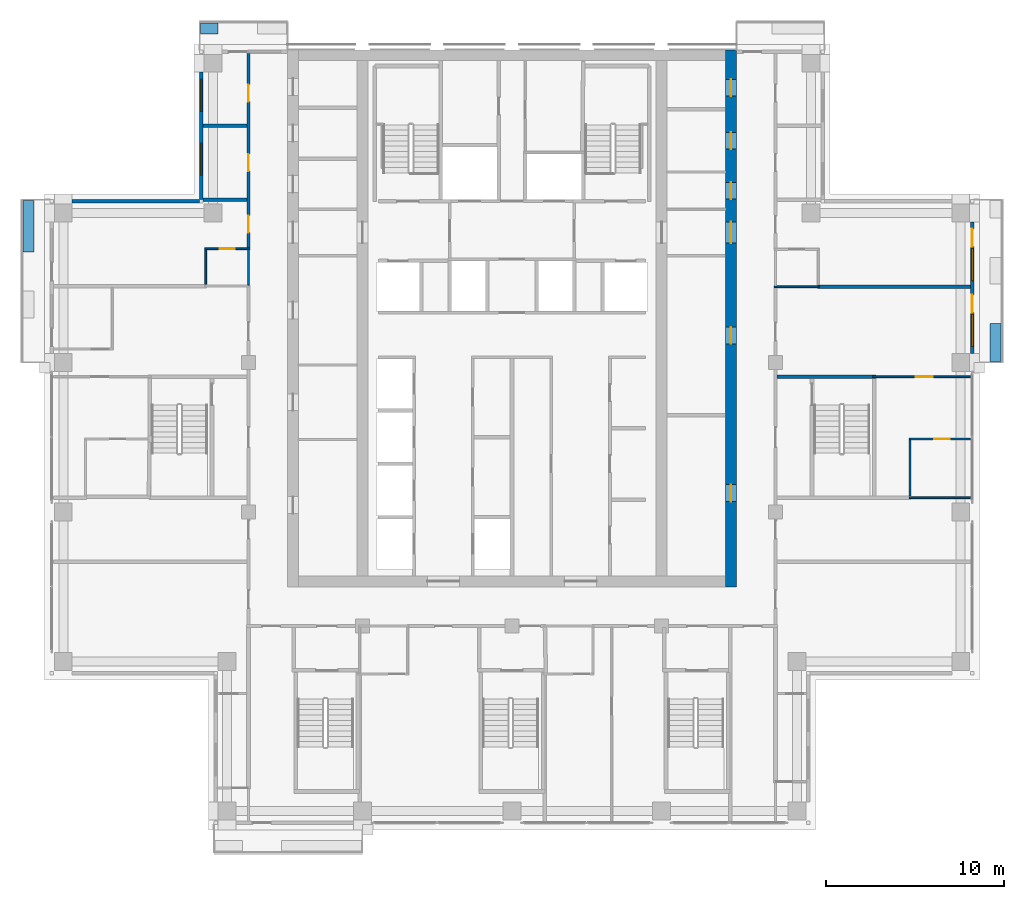
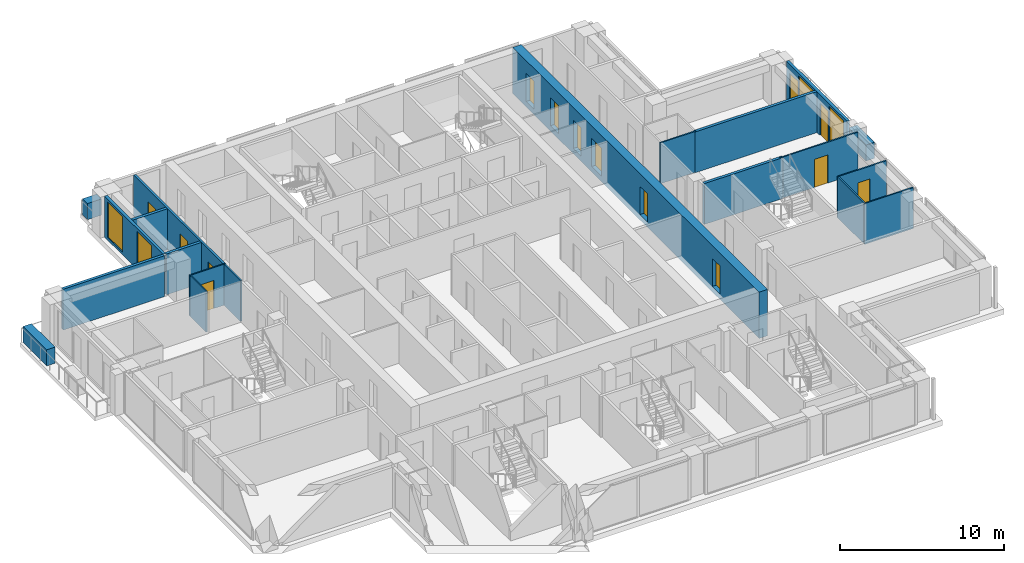
# One storey, part 11 of 16: 20 walls, 14 doors, 4 windows, 18 openings.
"""IFC4 building model written with IfcOpenShell, lengths in metres."""

from ifc_helpers import new_model, si_unit, direction, frame, frame_2d, origin, place, context, subcontext, project, spatial, rectangle, extrude, material, layer, layer_set, type_object, element, fill, save


model = new_model("IFC4")

# Units and contexts
model_context = context("Model", 3, precision=1e-05, world=origin(), true_north=direction((0.0, 1.0)))
body_context = subcontext(model_context, "Body", "Model", "MODEL_VIEW")
ifc_project = project(units=[si_unit("LENGTHUNIT", "METRE"), si_unit("AREAUNIT", "SQUARE_METRE"), si_unit("VOLUMEUNIT", "CUBIC_METRE"), si_unit("PLANEANGLEUNIT", "RADIAN"), si_unit("MASSUNIT", "GRAM", prefix="KILO")], contexts=[model_context])

# Site, building, storey
site_placement = place(None, origin())
site = spatial("IfcSite", under=ifc_project, at=site_placement, CompositionType="ELEMENT")
building_placement = place(site_placement, origin())
building = spatial("IfcBuilding", under=site, at=building_placement, Name="Vermilion Ogive Tower", CompositionType="ELEMENT")
storey_placement = place(building_placement, frame((0.0, 0.0, 179.0)))
storey = spatial("IfcBuildingStorey", under=building, at=storey_placement, Name="L46", CompositionType="ELEMENT", Elevation=179.0)

# Wall, openings, doors
ifc_material_1 = material(Name="Concrete B60", Category="concrete")
ifc_layer_1 = layer(ifc_material_1, 0.60009765625)
ifc_layer_set_1 = layer_set([ifc_layer_1], Name="Core wall 600 B60")
wall_type_1 = type_object("IfcWallType", Name="Core wall 600 B60", PredefinedType="SHEAR", material=ifc_layer_set_1)
wall_1_placement = place(storey_placement, frame((12.300048828125, -8.39990234375, -0.39990234375), z_axis=(0.0, 0.0, 1.0), x_axis=(0.0, 1.0, 0.0)))
wall_1 = element("IfcWall", 1, at=wall_1_placement, inside=storey, type_object=wall_type_1, Name="L46-CORE-E", PredefinedType="SHEAR", context=body_context, shape_type="SweptSolid", body=[
    extrude(rectangle(XDim=30.14990234375, YDim=0.60009765625, at=frame_2d((15.074951171875, 0.0))), origin(), (0.0, 0.0, 1.0), 3.449951171875),
])
opening_1_placement = place(wall_1_placement, frame((4.78759765625, 0.0, 0.39990234375)))
opening_1 = element("IfcOpeningElement", 2, at=opening_1_placement, cuts=wall_1, Name="Opening DAC067", PredefinedType="OPENING", context=body_context, shape_type="SweptSolid", body=[
    extrude(rectangle(XDim=0.949951171875, YDim=2.10009765625, at=frame_2d((0.47509765625, 1.050048828125))), frame((0.0, 0.31005859375, 0.0), z_axis=(0.0, -1.0, 0.0), x_axis=(1.0, 0.0, 0.0)), (0.0, 0.0, 1.0), 0.6201171875),
])
opening_2_placement = place(wall_1_placement, frame((13.6376953125, 0.0, 0.39990234375)))
opening_2 = element("IfcOpeningElement", 3, at=opening_2_placement, cuts=wall_1, Name="Opening DAC068", PredefinedType="OPENING", context=body_context, shape_type="SweptSolid", body=[
    extrude(rectangle(XDim=0.949951171875, YDim=2.10009765625, at=frame_2d((0.47509765625, 1.050048828125))), frame((0.0, 0.31005859375, 0.0), z_axis=(0.0, -1.0, 0.0), x_axis=(1.0, 0.0, 0.0)), (0.0, 0.0, 1.0), 0.6201171875),
])
opening_3_placement = place(wall_1_placement, frame((21.7705078125, 0.0, 0.39990234375)))
opening_3 = element("IfcOpeningElement", 4, at=opening_3_placement, cuts=wall_1, Name="Opening DAC069", PredefinedType="OPENING", context=body_context, shape_type="SweptSolid", body=[
    extrude(rectangle(XDim=0.949951171875, YDim=2.10009765625, at=frame_2d((0.47509765625, 1.050048828125))), frame((0.0, 0.31005859375, 0.0), z_axis=(0.0, -1.0, 0.0), x_axis=(1.0, 0.0, 0.0)), (0.0, 0.0, 1.0), 0.6201171875),
])
opening_4_placement = place(wall_1_placement, frame((24.57568359375, 0.0, 0.39990234375)))
opening_4 = element("IfcOpeningElement", 5, at=opening_4_placement, cuts=wall_1, Name="Opening DAC070", PredefinedType="OPENING", context=body_context, shape_type="SweptSolid", body=[
    extrude(rectangle(XDim=0.949951171875, YDim=2.10009765625, at=frame_2d((0.47509765625, 1.050048828125))), frame((0.0, 0.31005859375, 0.0), z_axis=(0.0, -1.0, 0.0), x_axis=(1.0, 0.0, 0.0)), (0.0, 0.0, 1.0), 0.6201171875),
])
opening_5_placement = place(wall_1_placement, frame((27.555419921875, 0.0, 0.39990234375)))
opening_5 = element("IfcOpeningElement", 6, at=opening_5_placement, cuts=wall_1, Name="Opening DAC071", PredefinedType="OPENING", context=body_context, shape_type="SweptSolid", body=[
    extrude(rectangle(XDim=0.949951171875, YDim=2.10009765625, at=frame_2d((0.47509765625, 1.050048828125))), frame((0.0, 0.31005859375, 0.0), z_axis=(0.0, -1.0, 0.0), x_axis=(1.0, 0.0, 0.0)), (0.0, 0.0, 1.0), 0.6201171875),
])
opening_6_placement = place(wall_1_placement, frame((19.300048828125, 0.0, 0.39990234375)))
opening_6 = element("IfcOpeningElement", 7, at=opening_6_placement, cuts=wall_1, Name="Opening DAL018", PredefinedType="OPENING", context=body_context, shape_type="SweptSolid", body=[
    extrude(rectangle(XDim=1.199951171875, YDim=2.10009765625, at=frame_2d((0.60009765625, 1.050048828125))), frame((0.0, 0.31005859375, 0.0), z_axis=(0.0, -1.0, 0.0), x_axis=(1.0, 0.0, 0.0)), (0.0, 0.0, 1.0), 0.6201171875),
])
ifc_material_2 = material(Name="Timber door leaf", Category="wood")
door_type_1 = type_object("IfcDoorType", Name="Link door 1200 x 2100 FD60S", OperationType="SINGLE_SWING_LEFT", PredefinedType="DOOR", material=ifc_material_2)
door_1_placement = place(opening_6_placement, origin())
door_1 = element("IfcDoor", 8, at=door_1_placement, inside=storey, type_object=door_type_1, Name="L46-CKE-XL", OperationType="SINGLE_SWING_LEFT", OverallHeight=2.10009765625, OverallWidth=1.199951171875, PredefinedType="DOOR", context=body_context, shape_type="SweptSolid", body=[
    extrude(rectangle(XDim=1.199951171875, YDim=2.10009765625, at=frame_2d((0.60009765625, 1.050048828125))), frame((0.0, 0.02490234375, 0.0), z_axis=(0.0, -1.0, 0.0), x_axis=(1.0, 0.0, 0.0)), (0.0, 0.0, 1.0), 0.050048828125),
])
fill(opening_6, door_1)
ifc_material_3 = material(Name="Timber door leaf", Category="wood")
door_type_2 = type_object("IfcDoorType", Name="Service door 950 x 2100 FD60", OperationType="SINGLE_SWING_LEFT", PredefinedType="DOOR", material=ifc_material_3)
door_2_placement = place(opening_1_placement, origin())
door_2 = element("IfcDoor", 9, at=door_2_placement, inside=storey, type_object=door_type_2, Name="L46-CKE-XR0", OperationType="SINGLE_SWING_LEFT", OverallHeight=2.10009765625, OverallWidth=0.949951171875, PredefinedType="DOOR", context=body_context, shape_type="SweptSolid", body=[
    extrude(rectangle(XDim=0.949951171875, YDim=2.10009765625, at=frame_2d((0.47509765625, 1.050048828125))), frame((0.0, 0.02490234375, 0.0), z_axis=(0.0, -1.0, 0.0), x_axis=(1.0, 0.0, 0.0)), (0.0, 0.0, 1.0), 0.050048828125),
])
fill(opening_1, door_2)
door_3_placement = place(opening_2_placement, origin())
door_3 = element("IfcDoor", 10, at=door_3_placement, inside=storey, type_object=door_type_2, Name="L46-CKE-XR1", OperationType="SINGLE_SWING_LEFT", OverallHeight=2.10009765625, OverallWidth=0.949951171875, PredefinedType="DOOR", context=body_context, shape_type="SweptSolid", body=[
    extrude(rectangle(XDim=0.949951171875, YDim=2.10009765625, at=frame_2d((0.47509765625, 1.050048828125))), frame((0.0, 0.02490234375, 0.0), z_axis=(0.0, -1.0, 0.0), x_axis=(1.0, 0.0, 0.0)), (0.0, 0.0, 1.0), 0.050048828125),
])
fill(opening_2, door_3)
door_4_placement = place(opening_3_placement, origin())
door_4 = element("IfcDoor", 11, at=door_4_placement, inside=storey, type_object=door_type_2, Name="L46-CKE-XR2", OperationType="SINGLE_SWING_LEFT", OverallHeight=2.10009765625, OverallWidth=0.949951171875, PredefinedType="DOOR", context=body_context, shape_type="SweptSolid", body=[
    extrude(rectangle(XDim=0.949951171875, YDim=2.10009765625, at=frame_2d((0.47509765625, 1.050048828125))), frame((0.0, 0.02490234375, 0.0), z_axis=(0.0, -1.0, 0.0), x_axis=(1.0, 0.0, 0.0)), (0.0, 0.0, 1.0), 0.050048828125),
])
fill(opening_3, door_4)
door_5_placement = place(opening_4_placement, origin())
door_5 = element("IfcDoor", 12, at=door_5_placement, inside=storey, type_object=door_type_2, Name="L46-CKE-XR3", OperationType="SINGLE_SWING_LEFT", OverallHeight=2.10009765625, OverallWidth=0.949951171875, PredefinedType="DOOR", context=body_context, shape_type="SweptSolid", body=[
    extrude(rectangle(XDim=0.949951171875, YDim=2.10009765625, at=frame_2d((0.47509765625, 1.050048828125))), frame((0.0, 0.02490234375, 0.0), z_axis=(0.0, -1.0, 0.0), x_axis=(1.0, 0.0, 0.0)), (0.0, 0.0, 1.0), 0.050048828125),
])
fill(opening_4, door_5)
door_6_placement = place(opening_5_placement, origin())
door_6 = element("IfcDoor", 13, at=door_6_placement, inside=storey, type_object=door_type_2, Name="L46-CKE-XR4", OperationType="SINGLE_SWING_LEFT", OverallHeight=2.10009765625, OverallWidth=0.949951171875, PredefinedType="DOOR", context=body_context, shape_type="SweptSolid", body=[
    extrude(rectangle(XDim=0.949951171875, YDim=2.10009765625, at=frame_2d((0.47509765625, 1.050048828125))), frame((0.0, 0.02490234375, 0.0), z_axis=(0.0, -1.0, 0.0), x_axis=(1.0, 0.0, 0.0)), (0.0, 0.0, 1.0), 0.050048828125),
])
fill(opening_5, door_6)

# Wall
ifc_material_4 = material(Name="Gypsum board partition on steel studs", Category="steel")
ifc_layer_2 = layer(ifc_material_4, 0.10009765625)
ifc_layer_set_2 = layer_set([ifc_layer_2], Name="Partition 100 bath")
wall_type_2 = type_object("IfcWallType", Name="Partition 100 bath", PredefinedType="PARTITIONING", material=ifc_layer_set_2)
wall_2_placement = place(storey_placement, frame((22.300048828125, -3.39990234375, 0.0), z_axis=(0.0, 0.0, 1.0), x_axis=(1.0, 0.0, 0.0)))
element("IfcWall", 14, at=wall_2_placement, inside=storey, type_object=wall_type_2, Name="L46-W-W024", PredefinedType="PARTITIONING", context=body_context, shape_type="SweptSolid", body=[
    extrude(rectangle(XDim=3.449951171875, YDim=0.10009765625, at=frame_2d((1.72509765625, 0.0))), origin(), (0.0, 0.0, 1.0), 3.050048828125),
])

# Wall, opening, door
wall_3_placement = place(storey_placement, frame((22.300048828125, -0.10009765625, 0.0), z_axis=(0.0, 0.0, 1.0), x_axis=(1.0, 0.0, 0.0)))
wall_3 = element("IfcWall", 15, at=wall_3_placement, inside=storey, type_object=wall_type_2, Name="L46-W-W026", PredefinedType="PARTITIONING", context=body_context, shape_type="SweptSolid", body=[
    extrude(rectangle(XDim=3.449951171875, YDim=0.10009765625, at=frame_2d((1.72509765625, 0.0))), origin(), (0.0, 0.0, 1.0), 3.050048828125),
])
opening_7_placement = place(wall_3_placement, frame((1.425048828125, 0.0, 0.0)))
opening_7 = element("IfcOpeningElement", 16, at=opening_7_placement, cuts=wall_3, Name="Opening D4G1022", PredefinedType="OPENING", context=body_context, shape_type="SweptSolid", body=[
    extrude(rectangle(XDim=0.85009765625, YDim=2.10009765625, at=frame_2d((0.425048828125, 1.050048828125))), frame((0.0, 0.06005859375, 0.0), z_axis=(0.0, -1.0, 0.0), x_axis=(1.0, 0.0, 0.0)), (0.0, 0.0, 1.0), 0.1201171875),
])
ifc_material_5 = material(Name="Timber door leaf", Category="wood")
door_type_3 = type_object("IfcDoorType", Name="Bath door 850 x 2100 FD30", OperationType="SINGLE_SWING_LEFT", PredefinedType="DOOR", material=ifc_material_5)
door_7_placement = place(opening_7_placement, origin())
door_7 = element("IfcDoor", 17, at=door_7_placement, inside=storey, type_object=door_type_3, Name="L46-D-D022", OperationType="SINGLE_SWING_RIGHT", OverallHeight=2.10009765625, OverallWidth=0.85009765625, PredefinedType="DOOR", context=body_context, shape_type="SweptSolid", body=[
    extrude(rectangle(XDim=0.85009765625, YDim=2.10009765625, at=frame_2d((0.425048828125, 1.050048828125))), frame((0.0, 0.02490234375, 0.0), z_axis=(0.0, -1.0, 0.0), x_axis=(1.0, 0.0, 0.0)), (0.0, 0.0, 1.0), 0.050048828125),
])
fill(opening_7, door_7)

# Wall
wall_4_placement = place(storey_placement, frame((14.72509765625, 8.449951171875, 0.0), z_axis=(0.0, 0.0, 1.0), x_axis=(1.0, 0.0, 0.0)))
element("IfcWall", 18, at=wall_4_placement, inside=storey, type_object=wall_type_2, Name="L46-W-W032", PredefinedType="PARTITIONING", context=body_context, shape_type="SweptSolid", body=[
    extrude(rectangle(XDim=2.52490234375, YDim=0.10009765625, at=frame_2d((1.262451171875, 0.0))), origin(), (0.0, 0.0, 1.0), 3.050048828125),
])

# Wall, opening, door
wall_5_placement = place(storey_placement, frame((-17.25, 10.590087890625, 0.0), z_axis=(0.0, 0.0, 1.0), x_axis=(1.0, 0.0, 0.0)))
wall_5 = element("IfcWall", 19, at=wall_5_placement, inside=storey, type_object=wall_type_2, Name="L46-W-W037", PredefinedType="PARTITIONING", context=body_context, shape_type="SweptSolid", body=[
    extrude(rectangle(XDim=2.52490234375, YDim=0.10009765625, at=frame_2d((1.262451171875, 0.0))), origin(), (0.0, 0.0, 1.0), 3.050048828125),
])
opening_8_placement = place(wall_5_placement, frame((0.824951171875, 0.0, 0.0)))
opening_8 = element("IfcOpeningElement", 20, at=opening_8_placement, cuts=wall_5, Name="Opening D4G1009", PredefinedType="OPENING", context=body_context, shape_type="SweptSolid", body=[
    extrude(rectangle(XDim=0.85009765625, YDim=2.10009765625, at=frame_2d((0.425048828125, 1.050048828125))), frame((0.0, 0.06005859375, 0.0), z_axis=(0.0, -1.0, 0.0), x_axis=(1.0, 0.0, 0.0)), (0.0, 0.0, 1.0), 0.1201171875),
])
door_8_placement = place(opening_8_placement, origin())
door_8 = element("IfcDoor", 21, at=door_8_placement, inside=storey, type_object=door_type_3, Name="L46-D-D009", OperationType="SINGLE_SWING_RIGHT", OverallHeight=2.10009765625, OverallWidth=0.85009765625, PredefinedType="DOOR", context=body_context, shape_type="SweptSolid", body=[
    extrude(rectangle(XDim=0.85009765625, YDim=2.10009765625, at=frame_2d((0.425048828125, 1.050048828125))), frame((0.0, 0.02490234375, 0.0), z_axis=(0.0, -1.0, 0.0), x_axis=(1.0, 0.0, 0.0)), (0.0, 0.0, 1.0), 0.050048828125),
])
fill(opening_8, door_8)

# Walls
wall_6_placement = place(storey_placement, frame((-17.199951171875, 8.590087890625, 0.0), z_axis=(0.0, 0.0, 1.0), x_axis=(0.0, 1.0, 0.0)))
element("IfcWall", 22, at=wall_6_placement, inside=storey, type_object=wall_type_2, Name="L46-W-W046", PredefinedType="PARTITIONING", context=body_context, shape_type="SweptSolid", body=[
    extrude(rectangle(XDim=1.949951171875, YDim=0.10009765625, at=frame_2d((0.97509765625, 0.0))), origin(), (0.0, 0.0, 1.0), 3.050048828125),
])
wall_7_placement = place(storey_placement, frame((-14.800048828125, 8.5400390625, 0.0), z_axis=(0.0, 0.0, 1.0), x_axis=(0.0, 1.0, 0.0)))
element("IfcWall", 23, at=wall_7_placement, inside=storey, type_object=wall_type_2, Name="L46-W-W051", PredefinedType="PARTITIONING", context=body_context, shape_type="SweptSolid", body=[
    extrude(rectangle(XDim=2.0, YDim=0.10009765625, at=frame_2d((1.0, 0.0))), origin(), (0.0, 0.0, 1.0), 3.050048828125),
])
wall_8_placement = place(storey_placement, frame((22.35009765625, -3.300048828125, 0.0), z_axis=(0.0, 0.0, 1.0), x_axis=(0.0, 1.0, 0.0)))
element("IfcWall", 24, at=wall_8_placement, inside=storey, type_object=wall_type_2, Name="L46-W-W078", PredefinedType="PARTITIONING", context=body_context, shape_type="SweptSolid", body=[
    extrude(rectangle(XDim=3.150146484375, YDim=0.10009765625, at=frame_2d((1.5751953125, 0.0))), origin(), (0.0, 0.0, 1.0), 3.050048828125),
])

# Wall, opening, door
ifc_material_6 = material(Name="Gypsum board partition on steel studs", Category="steel")
ifc_layer_3 = layer(ifc_material_6, 0.10009765625)
ifc_layer_set_3 = layer_set([ifc_layer_3], Name="Partition 100 inner")
wall_type_3 = type_object("IfcWallType", Name="Partition 100 inner", PredefinedType="PARTITIONING", material=ifc_layer_set_3)
wall_9_placement = place(storey_placement, frame((20.25, 3.39990234375, 0.0), z_axis=(0.0, 0.0, 1.0), x_axis=(1.0, 0.0, 0.0)))
wall_9 = element("IfcWall", 25, at=wall_9_placement, inside=storey, type_object=wall_type_3, Name="L46-W-W030", PredefinedType="PARTITIONING", context=body_context, shape_type="SweptSolid", body=[
    extrude(rectangle(XDim=5.5, YDim=0.10009765625, at=frame_2d((2.75, 0.0))), origin(), (0.0, 0.0, 1.0), 3.050048828125),
])
opening_9_placement = place(wall_9_placement, frame((2.425048828125, 0.0, 0.0)))
opening_9 = element("IfcOpeningElement", 26, at=opening_9_placement, cuts=wall_9, Name="Opening D4G1021", PredefinedType="OPENING", context=body_context, shape_type="SweptSolid", body=[
    extrude(rectangle(XDim=0.949951171875, YDim=2.10009765625, at=frame_2d((0.47509765625, 1.050048828125))), frame((0.0, 0.06005859375, 0.0), z_axis=(0.0, -1.0, 0.0), x_axis=(1.0, 0.0, 0.0)), (0.0, 0.0, 1.0), 0.1201171875),
])
ifc_material_7 = material(Name="Timber door leaf", Category="wood")
door_type_4 = type_object("IfcDoorType", Name="Inner door 950 x 2100 FD30", OperationType="SINGLE_SWING_LEFT", PredefinedType="DOOR", material=ifc_material_7)
door_9_placement = place(opening_9_placement, origin())
door_9 = element("IfcDoor", 27, at=door_9_placement, inside=storey, type_object=door_type_4, Name="L46-D-D021", OperationType="SINGLE_SWING_LEFT", OverallHeight=2.10009765625, OverallWidth=0.949951171875, PredefinedType="DOOR", context=body_context, shape_type="SweptSolid", body=[
    extrude(rectangle(XDim=0.949951171875, YDim=2.10009765625, at=frame_2d((0.47509765625, 1.050048828125))), frame((0.0, 0.02490234375, 0.0), z_axis=(0.0, -1.0, 0.0), x_axis=(1.0, 0.0, 0.0)), (0.0, 0.0, 1.0), 0.050048828125),
])
fill(opening_9, door_9)

# Wall, openings, doors
ifc_material_8 = material(Name="Gypsum board partition on steel studs", Category="steel")
ifc_layer_4 = layer(ifc_material_8, 0.14990234375)
ifc_layer_set_4 = layer_set([ifc_layer_4], Name="Partition 150 corridor")
wall_type_4 = type_object("IfcWallType", Name="Partition 150 corridor", PredefinedType="PARTITIONING", material=ifc_layer_set_4)
wall_10_placement = place(storey_placement, frame((-14.800048828125, 10.639892578125, 0.0), z_axis=(0.0, 0.0, 1.0), x_axis=(0.0, 1.0, 0.0)))
wall_10 = element("IfcWall", 28, at=wall_10_placement, inside=storey, type_object=wall_type_4, Name="L46-W-W052", PredefinedType="PARTITIONING", context=body_context, shape_type="SweptSolid", body=[
    extrude(rectangle(XDim=10.91015625, YDim=0.14990234375, at=frame_2d((5.455078125, 0.0))), origin(), (0.0, 0.0, 1.0), 3.050048828125),
])
opening_10_placement = place(wall_10_placement, frame((0.855224609375, 0.0, 0.0)))
opening_10 = element("IfcOpeningElement", 29, at=opening_10_placement, cuts=wall_10, Name="Opening D4G1008", PredefinedType="OPENING", context=body_context, shape_type="SweptSolid", body=[
    extrude(rectangle(XDim=0.949951171875, YDim=2.10009765625, at=frame_2d((0.47509765625, 1.050048828125))), frame((0.0, 0.0849609375, 0.0), z_axis=(0.0, -1.0, 0.0), x_axis=(1.0, 0.0, 0.0)), (0.0, 0.0, 1.0), 0.169921875),
])
opening_11_placement = place(wall_10_placement, frame((4.31005859375, 0.0, 0.0)))
opening_11 = element("IfcOpeningElement", 30, at=opening_11_placement, cuts=wall_10, Name="Opening D4G1010", PredefinedType="OPENING", context=body_context, shape_type="SweptSolid", body=[
    extrude(rectangle(XDim=0.949951171875, YDim=2.10009765625, at=frame_2d((0.47509765625, 1.050048828125))), frame((0.0, 0.0849609375, 0.0), z_axis=(0.0, -1.0, 0.0), x_axis=(1.0, 0.0, 0.0)), (0.0, 0.0, 1.0), 0.169921875),
])
opening_12_placement = place(wall_10_placement, frame((8.210205078125, 0.0, 0.0)))
opening_12 = element("IfcOpeningElement", 31, at=opening_12_placement, cuts=wall_10, Name="Opening D4G1011", PredefinedType="OPENING", context=body_context, shape_type="SweptSolid", body=[
    extrude(rectangle(XDim=0.949951171875, YDim=2.10009765625, at=frame_2d((0.47509765625, 1.050048828125))), frame((0.0, 0.0849609375, 0.0), z_axis=(0.0, -1.0, 0.0), x_axis=(1.0, 0.0, 0.0)), (0.0, 0.0, 1.0), 0.169921875),
])
ifc_material_9 = material(Name="Timber door leaf", Category="wood")
door_type_5 = type_object("IfcDoorType", Name="Unit door 950 x 2100 FD30S", OperationType="SINGLE_SWING_LEFT", PredefinedType="DOOR", material=ifc_material_9)
door_10_placement = place(opening_10_placement, origin())
door_10 = element("IfcDoor", 32, at=door_10_placement, inside=storey, type_object=door_type_5, Name="L46-D-D008", OperationType="SINGLE_SWING_LEFT", OverallHeight=2.10009765625, OverallWidth=0.949951171875, PredefinedType="DOOR", context=body_context, shape_type="SweptSolid", body=[
    extrude(rectangle(XDim=0.949951171875, YDim=2.10009765625, at=frame_2d((0.47509765625, 1.050048828125))), frame((0.0, 0.02490234375, 0.0), z_axis=(0.0, -1.0, 0.0), x_axis=(1.0, 0.0, 0.0)), (0.0, 0.0, 1.0), 0.050048828125),
])
fill(opening_10, door_10)
door_11_placement = place(opening_11_placement, origin())
door_11 = element("IfcDoor", 33, at=door_11_placement, inside=storey, type_object=door_type_5, Name="L46-D-D010", OperationType="SINGLE_SWING_LEFT", OverallHeight=2.10009765625, OverallWidth=0.949951171875, PredefinedType="DOOR", context=body_context, shape_type="SweptSolid", body=[
    extrude(rectangle(XDim=0.949951171875, YDim=2.10009765625, at=frame_2d((0.47509765625, 1.050048828125))), frame((0.0, 0.02490234375, 0.0), z_axis=(0.0, -1.0, 0.0), x_axis=(1.0, 0.0, 0.0)), (0.0, 0.0, 1.0), 0.050048828125),
])
fill(opening_11, door_11)
door_12_placement = place(opening_12_placement, origin())
door_12 = element("IfcDoor", 34, at=door_12_placement, inside=storey, type_object=door_type_5, Name="L46-D-D011", OperationType="SINGLE_SWING_RIGHT", OverallHeight=2.10009765625, OverallWidth=0.949951171875, PredefinedType="DOOR", context=body_context, shape_type="SweptSolid", body=[
    extrude(rectangle(XDim=0.949951171875, YDim=2.10009765625, at=frame_2d((0.47509765625, 1.050048828125))), frame((0.0, 0.02490234375, 0.0), z_axis=(0.0, -1.0, 0.0), x_axis=(1.0, 0.0, 0.0)), (0.0, 0.0, 1.0), 0.050048828125),
])
fill(opening_12, door_12)

# Walls
ifc_material_10 = material(Name="Gypsum board partition on steel studs", Category="steel")
ifc_layer_5 = layer(ifc_material_10, 0.199951171875)
ifc_layer_set_5 = layer_set([ifc_layer_5], Name="Partition 200 party")
wall_type_5 = type_object("IfcWallType", Name="Partition 200 party", PredefinedType="PARTITIONING", material=ifc_layer_set_5)
wall_11_placement = place(storey_placement, frame((17.14990234375, 8.449951171875, 0.0), z_axis=(0.0, 0.0, 1.0), x_axis=(1.0, 0.0, 0.0)))
element("IfcWall", 35, at=wall_11_placement, inside=storey, type_object=wall_type_5, Name="L46-W-W033", PredefinedType="PARTITIONING", context=body_context, shape_type="SweptSolid", body=[
    extrude(rectangle(XDim=8.60009765625, YDim=0.199951171875, at=frame_2d((4.300048828125, 0.0))), origin(), (0.0, 0.0, 1.0), 3.050048828125),
])
for number, where, z_axis, x_axis, name in (
    (36, (-17.35009765625, 13.35009765625, 0.0), (0.0, 0.0, 1.0), (1.0, 0.0, 0.0), "L46-W-W038"),
    (37, (-17.35009765625, 17.5, 0.0), (0.0, 0.0, 1.0), (1.0, 0.0, 0.0), "L46-W-W040"),
):
    element("IfcWall", number, at=place(storey_placement, frame(where, z_axis=z_axis, x_axis=x_axis)), inside=storey, type_object=wall_type_5, Name=name, PredefinedType="PARTITIONING", context=body_context, shape_type="SweptSolid", body=[
        extrude(rectangle(XDim=2.47509765625, YDim=0.199951171875, at=frame_2d((1.237548828125, 0.0))), origin(), (0.0, 0.0, 1.0), 3.050048828125),
    ])
ifc_material_11 = material(Name="Concrete B60", Category="concrete")
ifc_layer_6 = layer(ifc_material_11, 0.199951171875)
ifc_layer_set_6 = layer_set([ifc_layer_6], Name="Stair shaft wall 200 Concrete B60")
wall_type_6 = type_object("IfcWallType", Name="Stair shaft wall 200 Concrete B60", PredefinedType="SOLIDWALL", material=ifc_layer_set_6)
wall_12_placement = place(storey_placement, frame((14.875, 3.39990234375, 0.0), z_axis=(0.0, 0.0, 1.0), x_axis=(1.0, 0.0, 0.0)))
element("IfcWall", 38, at=wall_12_placement, inside=storey, type_object=wall_type_6, Name="L46-W-W029", PredefinedType="SOLIDWALL", context=body_context, shape_type="SweptSolid", body=[
    extrude(rectangle(XDim=5.574951171875, YDim=0.199951171875, at=frame_2d((2.78759765625, 0.0))), origin(), (0.0, 0.0, 1.0), 3.050048828125),
])
ifc_material_12 = material(Name="Concrete B40", Category="concrete")
ifc_layer_7 = layer(ifc_material_12, 0.60009765625)
ifc_layer_set_7 = layer_set([ifc_layer_7], Name="Structural planter")
wall_type_7 = type_object("IfcWallType", Name="Structural planter", PredefinedType="USERDEFINED", material=ifc_layer_set_7)
wall_13_placement = place(storey_placement, frame((27.154052734375, 4.260009765625, -0.0400390625), z_axis=(0.0, 0.0, 1.0), x_axis=(0.0, 1.0, 0.0)))
element("IfcWall", 39, at=wall_13_placement, inside=storey, type_object=wall_type_7, Name="Planter E03A1", ObjectType="PLANTER", PredefinedType="USERDEFINED", context=body_context, shape_type="SweptSolid", body=[
    extrude(rectangle(XDim=2.139892578125, YDim=0.60009765625, at=frame_2d((1.06982421875, 0.0))), origin(), (0.0, 0.0, 1.0), 1.199951171875),
])
wall_14_placement = place(storey_placement, frame((-16.5, 22.9541015625, -0.0400390625), z_axis=(0.0, 0.0, 1.0), x_axis=(-1.0, 0.0, 0.0)))
element("IfcWall", 40, at=wall_14_placement, inside=storey, type_object=wall_type_7, Name="Planter N201A2", ObjectType="PLANTER", PredefinedType="USERDEFINED", context=body_context, shape_type="SweptSolid", body=[
    extrude(rectangle(XDim=0.989990234375, YDim=0.60009765625, at=frame_2d((0.4951171875, 0.0))), origin(), (0.0, 0.0, 1.0), 1.199951171875),
])
wall_15_placement = place(storey_placement, frame((-27.154052734375, 13.2900390625, -0.0400390625), z_axis=(0.0, 0.0, 1.0), x_axis=(0.0, -1.0, 0.0)))
element("IfcWall", 41, at=wall_15_placement, inside=storey, type_object=wall_type_7, Name="Planter W01A1", ObjectType="PLANTER", PredefinedType="USERDEFINED", context=body_context, shape_type="SweptSolid", body=[
    extrude(rectangle(XDim=2.89013671875, YDim=0.60009765625, at=frame_2d((1.445068359375, 0.0))), origin(), (0.0, 0.0, 1.0), 1.199951171875),
])

# Wall, openings, doors, windows
ifc_material_13 = material(Name="Aluminium window wall framing", Category="aluminium")
ifc_layer_8 = layer(ifc_material_13, 0.199951171875)
ifc_layer_set_8 = layer_set([ifc_layer_8], Name="Window wall")
wall_type_8 = type_object("IfcWallType", Name="Window wall", PredefinedType="STANDARD", material=ifc_layer_set_8)
wall_16_placement = place(storey_placement, frame((25.85009765625, 4.699951171875, 0.0), z_axis=(0.0, 0.0, 1.0), x_axis=(0.0, 1.0, 0.0)))
wall_16 = element("IfcWall", 42, at=wall_16_placement, inside=storey, type_object=wall_type_8, Name="Window wall E3", PredefinedType="STANDARD", context=body_context, shape_type="SweptSolid", body=[
    extrude(rectangle(XDim=7.400146484375, YDim=0.199951171875, at=frame_2d((3.7001953125, 0.0))), origin(), (0.0, 0.0, 1.0), 3.050048828125),
])
opening_13_placement = place(wall_16_placement, frame((0.39990234375, 0.0, 0.199951171875)))
opening_13 = element("IfcOpeningElement", 43, at=opening_13_placement, cuts=wall_16, Name="Opening W1-E01", PredefinedType="OPENING", context=body_context, shape_type="SweptSolid", body=[
    extrude(rectangle(XDim=1.800048828125, YDim=2.64990234375, at=frame_2d((0.89990234375, 1.324951171875))), frame((0.0, 0.10986328125, 0.0), z_axis=(0.0, -1.0, 0.0), x_axis=(1.0, 0.0, 0.0)), (0.0, 0.0, 1.0), 0.219970703125),
])
opening_14_placement = place(wall_16_placement, frame((2.300048828125, 0.0, 0.0)))
opening_14 = element("IfcOpeningElement", 44, at=opening_14_placement, cuts=wall_16, Name="Opening D1-E01", PredefinedType="OPENING", context=body_context, shape_type="SweptSolid", body=[
    extrude(rectangle(XDim=1.0, YDim=2.39990234375, at=frame_2d((0.5, 1.199951171875))), frame((0.0, 0.10986328125, 0.0), z_axis=(0.0, -1.0, 0.0), x_axis=(1.0, 0.0, 0.0)), (0.0, 0.0, 1.0), 0.219970703125),
])
opening_15_placement = place(wall_16_placement, frame((4.10009765625, 0.0, 0.199951171875)))
opening_15 = element("IfcOpeningElement", 45, at=opening_15_placement, cuts=wall_16, Name="Opening W1-E02", PredefinedType="OPENING", context=body_context, shape_type="SweptSolid", body=[
    extrude(rectangle(XDim=1.800048828125, YDim=2.64990234375, at=frame_2d((0.89990234375, 1.324951171875))), frame((0.0, 0.10986328125, 0.0), z_axis=(0.0, -1.0, 0.0), x_axis=(1.0, 0.0, 0.0)), (0.0, 0.0, 1.0), 0.219970703125),
])
opening_16_placement = place(wall_16_placement, frame((6.0, 0.0, 0.0)))
opening_16 = element("IfcOpeningElement", 46, at=opening_16_placement, cuts=wall_16, Name="Opening D1-E02", PredefinedType="OPENING", context=body_context, shape_type="SweptSolid", body=[
    extrude(rectangle(XDim=1.0, YDim=2.39990234375, at=frame_2d((0.5, 1.199951171875))), frame((0.0, 0.10986328125, 0.0), z_axis=(0.0, -1.0, 0.0), x_axis=(1.0, 0.0, 0.0)), (0.0, 0.0, 1.0), 0.219970703125),
])
ifc_material_14 = material(Name="Aluminium framed glazed door", Category="aluminium")
door_type_6 = type_object("IfcDoorType", Name="Balcony door D1", OperationType="SINGLE_SWING_LEFT", PredefinedType="DOOR", material=ifc_material_14)
door_13_placement = place(opening_14_placement, origin())
door_13 = element("IfcDoor", 47, at=door_13_placement, inside=storey, type_object=door_type_6, Name="Balcony door E01", OperationType="SINGLE_SWING_LEFT", OverallHeight=2.39990234375, OverallWidth=1.0, PredefinedType="DOOR", context=body_context, shape_type="SweptSolid", body=[
    extrude(rectangle(XDim=1.0, YDim=2.39990234375, at=frame_2d((0.5, 1.199951171875))), frame((0.0, 0.02490234375, 0.0), z_axis=(0.0, -1.0, 0.0), x_axis=(1.0, 0.0, 0.0)), (0.0, 0.0, 1.0), 0.050048828125),
])
fill(opening_14, door_13)
door_14_placement = place(opening_16_placement, origin())
door_14 = element("IfcDoor", 48, at=door_14_placement, inside=storey, type_object=door_type_6, Name="Balcony door E02", OperationType="SINGLE_SWING_LEFT", OverallHeight=2.39990234375, OverallWidth=1.0, PredefinedType="DOOR", context=body_context, shape_type="SweptSolid", body=[
    extrude(rectangle(XDim=1.0, YDim=2.39990234375, at=frame_2d((0.5, 1.199951171875))), frame((0.0, 0.02490234375, 0.0), z_axis=(0.0, -1.0, 0.0), x_axis=(1.0, 0.0, 0.0)), (0.0, 0.0, 1.0), 0.050048828125),
])
fill(opening_16, door_14)
ifc_material_15 = material(Name="Aluminium framed double glazing", Category="aluminium")
window_type = type_object("IfcWindowType", Name="Guest window W1", PartitioningType="SINGLE_PANEL", PredefinedType="WINDOW", material=ifc_material_15)
window_1_placement = place(opening_13_placement, origin())
window_1 = element("IfcWindow", 49, at=window_1_placement, inside=storey, type_object=window_type, Name="Window E01", OverallHeight=2.64990234375, OverallWidth=1.800048828125, PartitioningType="SINGLE_PANEL", PredefinedType="WINDOW", context=body_context, shape_type="SweptSolid", body=[
    extrude(rectangle(XDim=1.800048828125, YDim=2.64990234375, at=frame_2d((0.89990234375, 1.324951171875))), frame((0.0, 0.030029296875, 0.0), z_axis=(0.0, -1.0, 0.0), x_axis=(1.0, 0.0, 0.0)), (0.0, 0.0, 1.0), 0.06005859375),
])
fill(opening_13, window_1)
window_2_placement = place(opening_15_placement, origin())
window_2 = element("IfcWindow", 50, at=window_2_placement, inside=storey, type_object=window_type, Name="Window E02", OverallHeight=2.64990234375, OverallWidth=1.800048828125, PartitioningType="SINGLE_PANEL", PredefinedType="WINDOW", context=body_context, shape_type="SweptSolid", body=[
    extrude(rectangle(XDim=1.800048828125, YDim=2.64990234375, at=frame_2d((0.89990234375, 1.324951171875))), frame((0.0, 0.030029296875, 0.0), z_axis=(0.0, -1.0, 0.0), x_axis=(1.0, 0.0, 0.0)), (0.0, 0.0, 1.0), 0.06005859375),
])
fill(opening_15, window_2)

# Wall, openings, windows
wall_17_placement = place(storey_placement, frame((-17.449951171875, 20.5, 0.0), z_axis=(0.0, 0.0, 1.0), x_axis=(0.0, -1.0, 0.0)))
wall_17 = element("IfcWall", 51, at=wall_17_placement, inside=storey, type_object=wall_type_8, Name="Window wall X51", PredefinedType="STANDARD", context=body_context, shape_type="SweptSolid", body=[
    extrude(rectangle(XDim=7.14990234375, YDim=0.199951171875, at=frame_2d((3.574951171875, 0.0))), origin(), (0.0, 0.0, 1.0), 3.050048828125),
])
opening_17_placement = place(wall_17_placement, frame((3.97509765625, 0.0, 0.199951171875)))
opening_17 = element("IfcOpeningElement", 52, at=opening_17_placement, cuts=wall_17, Name="Opening W1-X503", PredefinedType="OPENING", context=body_context, shape_type="SweptSolid", body=[
    extrude(rectangle(XDim=1.800048828125, YDim=2.64990234375, at=frame_2d((0.89990234375, 1.324951171875))), frame((0.0, 0.10986328125, 0.0), z_axis=(0.0, -1.0, 0.0), x_axis=(1.0, 0.0, 0.0)), (0.0, 0.0, 1.0), 0.219970703125),
])
opening_18_placement = place(wall_17_placement, frame((0.39990234375, 0.0, 0.199951171875)))
opening_18 = element("IfcOpeningElement", 53, at=opening_18_placement, cuts=wall_17, Name="Opening W1-X504", PredefinedType="OPENING", context=body_context, shape_type="SweptSolid", body=[
    extrude(rectangle(XDim=1.800048828125, YDim=2.64990234375, at=frame_2d((0.89990234375, 1.324951171875))), frame((0.0, 0.10986328125, 0.0), z_axis=(0.0, -1.0, 0.0), x_axis=(1.0, 0.0, 0.0)), (0.0, 0.0, 1.0), 0.219970703125),
])
window_3_placement = place(opening_17_placement, origin())
window_3 = element("IfcWindow", 54, at=window_3_placement, inside=storey, type_object=window_type, Name="Window X503", OverallHeight=2.64990234375, OverallWidth=1.800048828125, PartitioningType="SINGLE_PANEL", PredefinedType="WINDOW", context=body_context, shape_type="SweptSolid", body=[
    extrude(rectangle(XDim=1.800048828125, YDim=2.64990234375, at=frame_2d((0.89990234375, 1.324951171875))), frame((0.0, 0.030029296875, 0.0), z_axis=(0.0, -1.0, 0.0), x_axis=(1.0, 0.0, 0.0)), (0.0, 0.0, 1.0), 0.06005859375),
])
fill(opening_17, window_3)
window_4_placement = place(opening_18_placement, origin())
window_4 = element("IfcWindow", 55, at=window_4_placement, inside=storey, type_object=window_type, Name="Window X504", OverallHeight=2.64990234375, OverallWidth=1.800048828125, PartitioningType="SINGLE_PANEL", PredefinedType="WINDOW", context=body_context, shape_type="SweptSolid", body=[
    extrude(rectangle(XDim=1.800048828125, YDim=2.64990234375, at=frame_2d((0.89990234375, 1.324951171875))), frame((0.0, 0.030029296875, 0.0), z_axis=(0.0, -1.0, 0.0), x_axis=(1.0, 0.0, 0.0)), (0.0, 0.0, 1.0), 0.06005859375),
])
fill(opening_18, window_4)

# Wall
wall_18_placement = place(storey_placement, frame((-17.550048828125, 13.25, 0.0), z_axis=(0.0, 0.0, 1.0), x_axis=(-1.0, 0.0, 0.0)))
element("IfcWall", 56, at=wall_18_placement, inside=storey, type_object=wall_type_8, Name="Window wall X61", PredefinedType="STANDARD", context=body_context, shape_type="SweptSolid", body=[
    extrude(rectangle(XDim=7.14990234375, YDim=0.199951171875, at=frame_2d((3.574951171875, 0.0))), origin(), (0.0, 0.0, 1.0), 3.050048828125),
])

save(model, "model.ifc")
